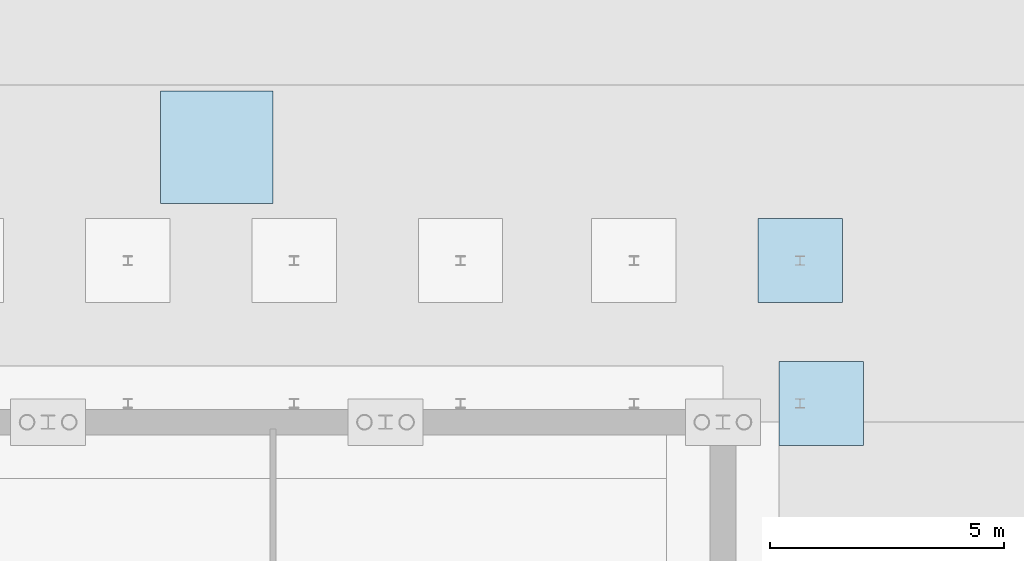
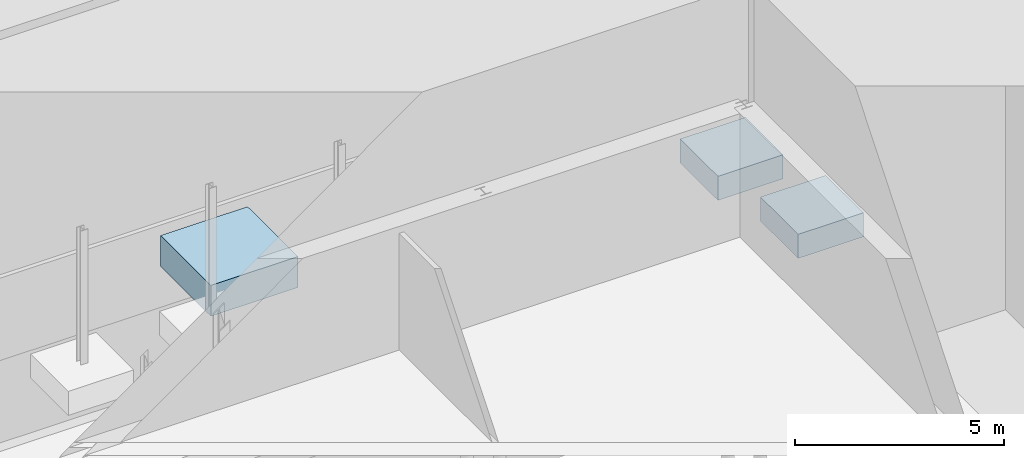
# One storey, part 35 of 148: 3 footings.
"""IFC4 building model written with IfcOpenShell, lengths in metres."""

from ifc_helpers import new_model, si_unit, direction, frame, origin, origin_2d, place, context, subcontext, project, spatial, rectangle, extrude, material, layer, layer_set, type_object, element, save


model = new_model("IFC4")

# Units and contexts
model_context = context("Model", 3, precision=1e-05, world=origin(), true_north=direction((0.0, 1.0)))
body_context = subcontext(model_context, "Body", "Model", "MODEL_VIEW")
ifc_project = project(units=[si_unit("LENGTHUNIT", "METRE"), si_unit("AREAUNIT", "SQUARE_METRE"), si_unit("VOLUMEUNIT", "CUBIC_METRE"), si_unit("PLANEANGLEUNIT", "RADIAN"), si_unit("MASSUNIT", "GRAM", prefix="KILO")], contexts=[model_context])

# Site, building, storey
site_placement = place(None, origin())
site = spatial("IfcSite", under=ifc_project, at=site_placement, CompositionType="ELEMENT")
building_placement = place(site_placement, origin())
building = spatial("IfcBuilding", under=site, at=building_placement, Name="Kupolbacken Congress Centre", CompositionType="ELEMENT")
storey_placement = place(building_placement, origin())
storey = spatial("IfcBuildingStorey", under=building, at=storey_placement, Name="L00", CompositionType="ELEMENT", Elevation=0.0)

# Footings
ifc_material_1 = material(Name="Concrete C30/37", Category="concrete")
ifc_layer_1 = layer(ifc_material_1, 0.89990234375)
ifc_layer_set_1 = layer_set([ifc_layer_1], Name="Concrete C30/37")
footing_type_1 = type_object("IfcFootingType", Name="PD1 pad footing 2.40 x 2.40 x 0.90 m", PredefinedType="PAD_FOOTING", material=ifc_layer_set_1)
footing_placement = place(storey_placement, frame((190.79931640625, 157.070068359375, -1.199951171875), z_axis=(0.0, 0.0, 1.0), x_axis=(1.0, 0.0, 0.0)))
element("IfcFooting", 1, at=footing_placement, inside=storey, type_object=footing_type_1, Name="S/fnd/pier/DNP2", PredefinedType="PAD_FOOTING", context=body_context, shape_type="SweptSolid", body=[
    extrude(rectangle(XDim=2.39990234375, YDim=2.39990234375, at=origin_2d()), origin(), (0.0, 0.0, 1.0), 0.89990234375),
])
ifc_material_2 = material(Name="Concrete C30/37", Category="concrete")
ifc_layer_2 = layer(ifc_material_2, 0.699951171875)
ifc_layer_set_2 = layer_set([ifc_layer_2], Name="Concrete C30/37")
footing_type_2 = type_object("IfcFootingType", Name="PD4 pad footing 1.80 x 1.80 x 0.70 m", PredefinedType="PAD_FOOTING", material=ifc_layer_set_2)
for number, where, z_axis, x_axis, name in (
    (2, (203.699951171875, 151.60009765625, -1.0), (0.0, 0.0, 1.0), (1.0, 0.0, 0.0), "C/passage/B/padS14"),
    (3, (203.25, 154.64990234375, -1.0), (0.0, 0.0, 1.0), (1.0, 0.0, 0.0), "C/passage/B/padN14"),
):
    element("IfcFooting", number, at=place(storey_placement, frame(where, z_axis=z_axis, x_axis=x_axis)), inside=storey, type_object=footing_type_2, Name=name, PredefinedType="PAD_FOOTING", context=body_context, shape_type="SweptSolid", body=[
        extrude(rectangle(XDim=1.800048828125, YDim=1.800048828125, at=origin_2d()), origin(), (0.0, 0.0, 1.0), 0.699951171875),
    ])

save(model, "model.ifc")
